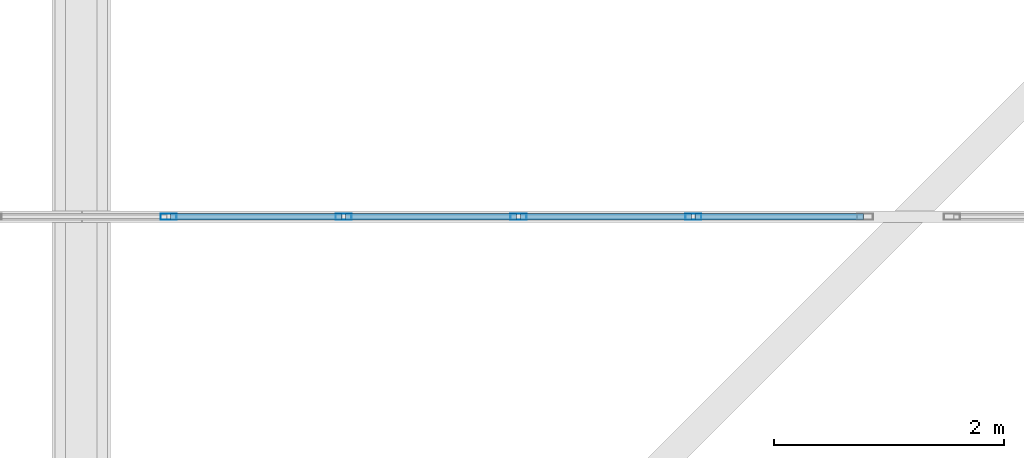
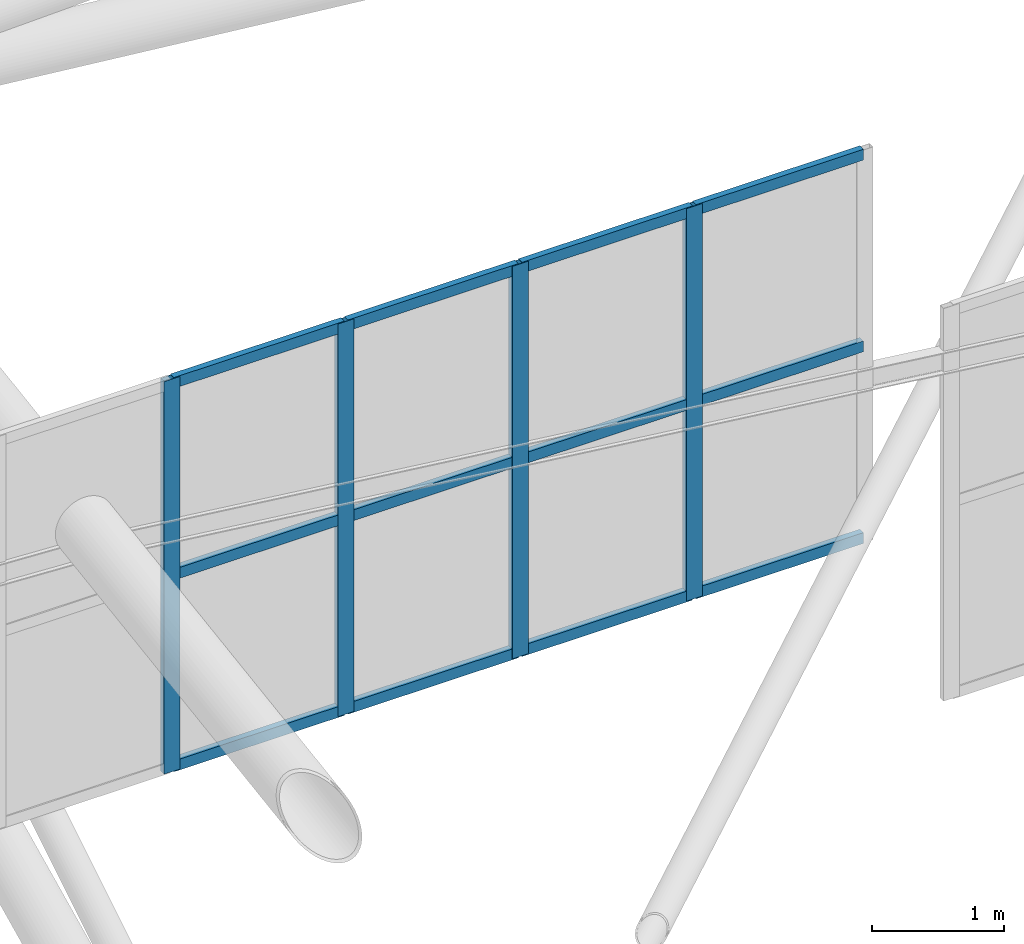
# One storey, part 102 of 397: 16 members, 1 element without a shape of its own.
"""IFC4 building model written with IfcOpenShell, lengths in metres."""

from ifc_helpers import new_model, si_unit, direction, frame, origin, origin_2d, place, context, subcontext, project, spatial, hollow_rectangle, extrude, material, material_profile, profile_set, type_object, element, aggregate, save


model = new_model("IFC4")

# Units and contexts
model_context = context("Model", 3, precision=1e-05, world=origin(), true_north=direction((0.0, 1.0)))
body_context = subcontext(model_context, "Body", "Model", "MODEL_VIEW")
ifc_project = project(units=[si_unit("LENGTHUNIT", "METRE"), si_unit("AREAUNIT", "SQUARE_METRE"), si_unit("VOLUMEUNIT", "CUBIC_METRE"), si_unit("PLANEANGLEUNIT", "RADIAN"), si_unit("MASSUNIT", "GRAM", prefix="KILO")], contexts=[model_context])

# Site, building, storey
site_placement = place(None, origin())
site = spatial("IfcSite", under=ifc_project, at=site_placement, CompositionType="ELEMENT")
building_placement = place(site_placement, origin())
building = spatial("IfcBuilding", under=site, at=building_placement, Name="Qandorah Velis Arena", CompositionType="ELEMENT")
storey_placement = place(building_placement, frame((0.0, 0.0, 27.5)))
storey = spatial("IfcBuildingStorey", under=building, at=storey_placement, Name="RF", CompositionType="ELEMENT", Elevation=27.5)

# Curtain wall, members
ifc_material_1 = material(Name="Solar-control low-E double glazing", Category="glass")
curtain_wall_type = type_object("IfcCurtainWallType", Name="ARC-CW-SYS23", PredefinedType="USERDEFINED", material=ifc_material_1)
curtain_wall_placement = place(storey_placement, origin())
curtain_wall = element("IfcCurtainWall", 1, at=curtain_wall_placement, inside=storey, type_object=curtain_wall_type, Name="Unitised curtain wall MON-3-5", ObjectType="UNITISED CURTAIN WALL", PredefinedType="USERDEFINED")
ifc_material_2 = material(Name="Champagne-bronze anodized aluminium 6063-T6", Category="aluminium")
ifc_material_profile_1 = material_profile(ifc_material_2, hollow_rectangle(XDim=0.054931640625, YDim=0.139892578125, WallThickness=0.0029296875, at=origin_2d()), Name="ALU MULLION 55x140")
ifc_profile_set_1 = profile_set([ifc_material_profile_1], Name="Champagne-bronze anodized aluminium 6063-T6")
member_type_1 = type_object("IfcMemberType", Name="ARC-CWM-140", PredefinedType="MULLION", material=ifc_profile_set_1)
member_1_placement = place(storey_placement, frame((87.1611328125, 21.60009765625, 5.337646484375), z_axis=(0.0, 0.0, 1.0), x_axis=(0.0, 1.0, 0.0)))
member_1 = element("IfcMember", 2, at=member_1_placement, type_object=member_type_1, Name="CW23 mullion 6", PredefinedType="MULLION", context=body_context, shape_type="SweptSolid", body=[
    extrude(hollow_rectangle(XDim=0.054931640625, YDim=0.139892578125, WallThickness=0.0029296875, at=origin_2d()), origin(), (0.0, 0.0, 1.0), 3.630126953125),
])
member_2_placement = place(storey_placement, frame((88.683349609375, 21.60009765625, 5.337646484375), z_axis=(0.0, 0.0, 1.0), x_axis=(0.0, 1.0, 0.0)))
member_2 = element("IfcMember", 3, at=member_2_placement, type_object=member_type_1, Name="CW23 mullion 7", PredefinedType="MULLION", context=body_context, shape_type="SweptSolid", body=[
    extrude(hollow_rectangle(XDim=0.054931640625, YDim=0.139892578125, WallThickness=0.0029296875, at=origin_2d()), origin(), (0.0, 0.0, 1.0), 3.630126953125),
])
member_3_placement = place(storey_placement, frame((90.20556640625, 21.60009765625, 5.337646484375), z_axis=(0.0, 0.0, 1.0), x_axis=(0.0, 1.0, 0.0)))
member_3 = element("IfcMember", 4, at=member_3_placement, type_object=member_type_1, Name="CW23 mullion 8", PredefinedType="MULLION", context=body_context, shape_type="SweptSolid", body=[
    extrude(hollow_rectangle(XDim=0.054931640625, YDim=0.139892578125, WallThickness=0.0029296875, at=origin_2d()), origin(), (0.0, 0.0, 1.0), 3.630126953125),
])
member_4_placement = place(storey_placement, frame((91.727783203125, 21.60009765625, 5.337646484375), z_axis=(0.0, 0.0, 1.0), x_axis=(0.0, 1.0, 0.0)))
member_4 = element("IfcMember", 5, at=member_4_placement, type_object=member_type_1, Name="CW23 mullion 9", PredefinedType="MULLION", context=body_context, shape_type="SweptSolid", body=[
    extrude(hollow_rectangle(XDim=0.054931640625, YDim=0.139892578125, WallThickness=0.0029296875, at=origin_2d()), origin(), (0.0, 0.0, 1.0), 3.630126953125),
])
ifc_material_profile_2 = material_profile(ifc_material_2, hollow_rectangle(XDim=0.054931640625, YDim=0.10009765625, WallThickness=0.0029296875, at=origin_2d()), Name="ALU TRANSOM 55x100")
ifc_profile_set_2 = profile_set([ifc_material_profile_2], Name="Champagne-bronze anodized aluminium 6063-T6")
member_type_2 = type_object("IfcMemberType", Name="ARC-CWT-100", PredefinedType="USERDEFINED", material=ifc_profile_set_2)
member_5_placement = place(storey_placement, frame((87.176513671875, 21.60009765625, 5.380126953125), z_axis=(1.0, 0.0, 0.0), x_axis=(0.0, 1.0, 0.0)))
member_5 = element("IfcMember", 6, at=member_5_placement, type_object=member_type_2, Name="CW23 transom 6.1", ObjectType="TRANSOM", PredefinedType="USERDEFINED", context=body_context, shape_type="SweptSolid", body=[
    extrude(hollow_rectangle(XDim=0.054931640625, YDim=0.10009765625, WallThickness=0.0029296875, at=origin_2d()), origin(), (0.0, 0.0, 1.0), 1.4912109375),
])
member_6_placement = place(storey_placement, frame((87.176513671875, 21.60009765625, 7.152587890625), z_axis=(1.0, 0.0, 0.0), x_axis=(0.0, 1.0, 0.0)))
member_6 = element("IfcMember", 7, at=member_6_placement, type_object=member_type_2, Name="CW23 transom 6.2", ObjectType="TRANSOM", PredefinedType="USERDEFINED", context=body_context, shape_type="SweptSolid", body=[
    extrude(hollow_rectangle(XDim=0.054931640625, YDim=0.10009765625, WallThickness=0.0029296875, at=origin_2d()), origin(), (0.0, 0.0, 1.0), 1.4912109375),
])
member_7_placement = place(storey_placement, frame((87.176513671875, 21.60009765625, 8.92529296875), z_axis=(1.0, 0.0, 0.0), x_axis=(0.0, 1.0, 0.0)))
member_7 = element("IfcMember", 8, at=member_7_placement, type_object=member_type_2, Name="CW23 transom 6.3", ObjectType="TRANSOM", PredefinedType="USERDEFINED", context=body_context, shape_type="SweptSolid", body=[
    extrude(hollow_rectangle(XDim=0.054931640625, YDim=0.10009765625, WallThickness=0.0029296875, at=origin_2d()), origin(), (0.0, 0.0, 1.0), 1.4912109375),
])
member_8_placement = place(storey_placement, frame((88.69873046875, 21.60009765625, 5.380126953125), z_axis=(1.0, 0.0, 0.0), x_axis=(0.0, 1.0, 0.0)))
member_8 = element("IfcMember", 9, at=member_8_placement, type_object=member_type_2, Name="CW23 transom 7.1", ObjectType="TRANSOM", PredefinedType="USERDEFINED", context=body_context, shape_type="SweptSolid", body=[
    extrude(hollow_rectangle(XDim=0.054931640625, YDim=0.10009765625, WallThickness=0.0029296875, at=origin_2d()), origin(), (0.0, 0.0, 1.0), 1.491455078125),
])
member_9_placement = place(storey_placement, frame((88.69873046875, 21.60009765625, 7.152587890625), z_axis=(1.0, 0.0, 0.0), x_axis=(0.0, 1.0, 0.0)))
member_9 = element("IfcMember", 10, at=member_9_placement, type_object=member_type_2, Name="CW23 transom 7.2", ObjectType="TRANSOM", PredefinedType="USERDEFINED", context=body_context, shape_type="SweptSolid", body=[
    extrude(hollow_rectangle(XDim=0.054931640625, YDim=0.10009765625, WallThickness=0.0029296875, at=origin_2d()), origin(), (0.0, 0.0, 1.0), 1.491455078125),
])
member_10_placement = place(storey_placement, frame((88.69873046875, 21.60009765625, 8.92529296875), z_axis=(1.0, 0.0, 0.0), x_axis=(0.0, 1.0, 0.0)))
member_10 = element("IfcMember", 11, at=member_10_placement, type_object=member_type_2, Name="CW23 transom 7.3", ObjectType="TRANSOM", PredefinedType="USERDEFINED", context=body_context, shape_type="SweptSolid", body=[
    extrude(hollow_rectangle(XDim=0.054931640625, YDim=0.10009765625, WallThickness=0.0029296875, at=origin_2d()), origin(), (0.0, 0.0, 1.0), 1.491455078125),
])
member_11_placement = place(storey_placement, frame((90.22119140625, 21.60009765625, 5.380126953125), z_axis=(1.0, 0.0, 0.0), x_axis=(0.0, 1.0, 0.0)))
member_11 = element("IfcMember", 12, at=member_11_placement, type_object=member_type_2, Name="CW23 transom 8.1", ObjectType="TRANSOM", PredefinedType="USERDEFINED", context=body_context, shape_type="SweptSolid", body=[
    extrude(hollow_rectangle(XDim=0.054931640625, YDim=0.10009765625, WallThickness=0.0029296875, at=origin_2d()), origin(), (0.0, 0.0, 1.0), 1.4912109375),
])
member_12_placement = place(storey_placement, frame((90.22119140625, 21.60009765625, 7.152587890625), z_axis=(1.0, 0.0, 0.0), x_axis=(0.0, 1.0, 0.0)))
member_12 = element("IfcMember", 13, at=member_12_placement, type_object=member_type_2, Name="CW23 transom 8.2", ObjectType="TRANSOM", PredefinedType="USERDEFINED", context=body_context, shape_type="SweptSolid", body=[
    extrude(hollow_rectangle(XDim=0.054931640625, YDim=0.10009765625, WallThickness=0.0029296875, at=origin_2d()), origin(), (0.0, 0.0, 1.0), 1.4912109375),
])
member_13_placement = place(storey_placement, frame((90.22119140625, 21.60009765625, 8.92529296875), z_axis=(1.0, 0.0, 0.0), x_axis=(0.0, 1.0, 0.0)))
member_13 = element("IfcMember", 14, at=member_13_placement, type_object=member_type_2, Name="CW23 transom 8.3", ObjectType="TRANSOM", PredefinedType="USERDEFINED", context=body_context, shape_type="SweptSolid", body=[
    extrude(hollow_rectangle(XDim=0.054931640625, YDim=0.10009765625, WallThickness=0.0029296875, at=origin_2d()), origin(), (0.0, 0.0, 1.0), 1.4912109375),
])
member_14_placement = place(storey_placement, frame((91.743408203125, 21.60009765625, 5.380126953125), z_axis=(1.0, 0.0, 0.0), x_axis=(0.0, 1.0, 0.0)))
member_14 = element("IfcMember", 15, at=member_14_placement, type_object=member_type_2, Name="CW23 transom 9.1", ObjectType="TRANSOM", PredefinedType="USERDEFINED", context=body_context, shape_type="SweptSolid", body=[
    extrude(hollow_rectangle(XDim=0.054931640625, YDim=0.10009765625, WallThickness=0.0029296875, at=origin_2d()), origin(), (0.0, 0.0, 1.0), 1.463623046875),
])
member_15_placement = place(storey_placement, frame((91.743408203125, 21.60009765625, 7.152587890625), z_axis=(1.0, 0.0, 0.0), x_axis=(0.0, 1.0, 0.0)))
member_15 = element("IfcMember", 16, at=member_15_placement, type_object=member_type_2, Name="CW23 transom 9.2", ObjectType="TRANSOM", PredefinedType="USERDEFINED", context=body_context, shape_type="SweptSolid", body=[
    extrude(hollow_rectangle(XDim=0.054931640625, YDim=0.10009765625, WallThickness=0.0029296875, at=origin_2d()), origin(), (0.0, 0.0, 1.0), 1.463623046875),
])
member_16_placement = place(storey_placement, frame((91.743408203125, 21.60009765625, 8.92529296875), z_axis=(1.0, 0.0, 0.0), x_axis=(0.0, 1.0, 0.0)))
member_16 = element("IfcMember", 17, at=member_16_placement, type_object=member_type_2, Name="CW23 transom 9.3", ObjectType="TRANSOM", PredefinedType="USERDEFINED", context=body_context, shape_type="SweptSolid", body=[
    extrude(hollow_rectangle(XDim=0.054931640625, YDim=0.10009765625, WallThickness=0.0029296875, at=origin_2d()), origin(), (0.0, 0.0, 1.0), 1.463623046875),
])
aggregate(curtain_wall, [member_1, member_2, member_3, member_4, member_5, member_6, member_7, member_8, member_9, member_10, member_11, member_12, member_13, member_14, member_15, member_16])

save(model, "model.ifc")
